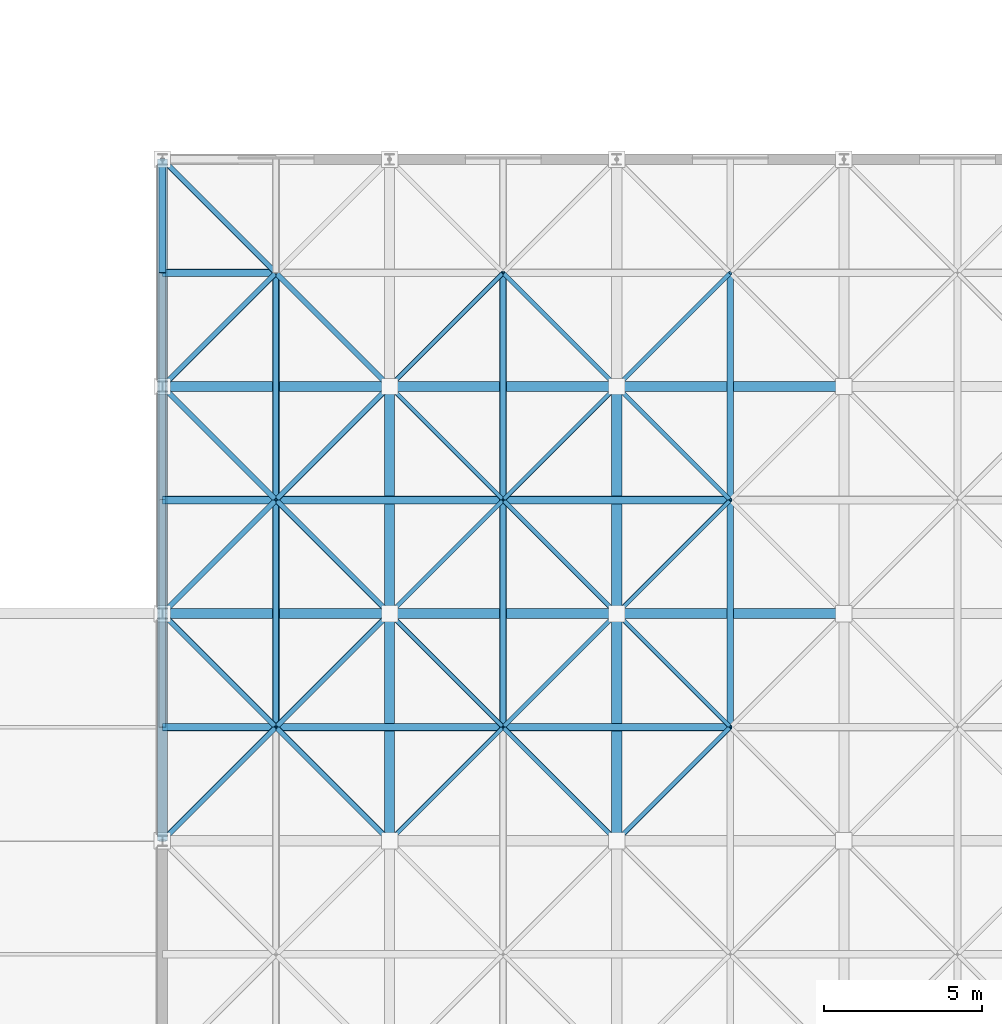
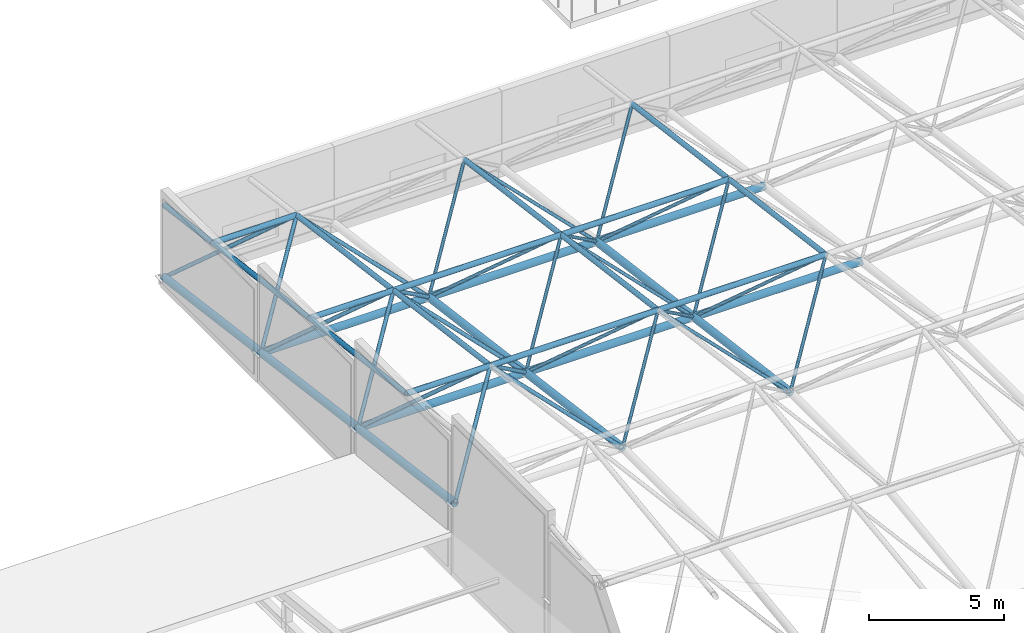
# One storey, part 38 of 103: 55 members.
"""IFC4 building model written with IfcOpenShell, lengths in metres."""

from ifc_helpers import new_model, si_unit, direction, frame, origin, origin_2d, place, context, subcontext, project, spatial, hollow_circle, extrude, material, material_profile, profile_set, type_object, element, save


model = new_model("IFC4")

# Units and contexts
model_context = context("Model", 3, precision=1e-05, world=origin(), true_north=direction((0.0, 1.0)))
body_context = subcontext(model_context, "Body", "Model", "MODEL_VIEW")
ifc_project = project(units=[si_unit("LENGTHUNIT", "METRE"), si_unit("AREAUNIT", "SQUARE_METRE"), si_unit("VOLUMEUNIT", "CUBIC_METRE"), si_unit("PLANEANGLEUNIT", "RADIAN"), si_unit("MASSUNIT", "GRAM", prefix="KILO")], contexts=[model_context])

# Site, building, storey
site_placement = place(None, origin())
site = spatial("IfcSite", under=ifc_project, at=site_placement, CompositionType="ELEMENT")
building_placement = place(site_placement, origin())
building = spatial("IfcBuilding", under=site, at=building_placement, Name="Thalmaran Polytechnic", CompositionType="ELEMENT")
storey_placement = place(building_placement, frame((0.0, 0.0, 14.39990234375)))
storey = spatial("IfcBuildingStorey", under=building, at=storey_placement, Name="L03", CompositionType="ELEMENT", Elevation=14.39990234375)

# Members
ifc_material = material(Name="Steel S355", Category="steel")
ifc_material_profile_1 = material_profile(ifc_material, hollow_circle(Radius=0.161865234375, WallThickness=0.012451171875, at=origin_2d()), Name="CHS 323.9x12.5")
ifc_profile_set_1 = profile_set([ifc_material_profile_1], Name="Steel S355")
member_type_1 = type_object("IfcMemberType", Name="MB-SFC0", PredefinedType="CHORD", material=ifc_profile_set_1)
for number, where, z_axis, x_axis, name in (
    (1, (108.0, 28.800048828125, 3.223876953125), (0.0, 0.991442963585, -0.130540606544), (-1.0, 0.0, 0.0), "Space-Frame Bottom Chord Y (0,5)"),
    (2, (108.0, 36.0, 2.27587890625), (0.0, 0.991442963585, -0.130540606544), (-1.0, 0.0, 0.0), "Space-Frame Bottom Chord Y (0,6)"),
):
    element("IfcMember", number, at=place(storey_placement, frame(where, z_axis=z_axis, x_axis=x_axis)), inside=storey, type_object=member_type_1, Name=name, PredefinedType="CHORD", context=body_context, shape_type="SweptSolid", body=[
        extrude(hollow_circle(Radius=0.161865234375, WallThickness=0.012451171875, at=origin_2d()), origin(), (0.0, 0.0, 1.0), 7.26220703125),
    ])
member_1_placement = place(storey_placement, frame((108.0, 43.199951171875, 1.327880859375), z_axis=(0.0, 0.991447314079, -0.130507560722), x_axis=(-1.0, 0.0, 0.0)))
element("IfcMember", 3, at=member_1_placement, inside=storey, type_object=member_type_1, Name="Space-Frame Bottom Chord Y (0,7)", PredefinedType="CHORD", context=body_context, shape_type="SweptSolid", body=[
    extrude(hollow_circle(Radius=0.161865234375, WallThickness=0.012451171875, at=origin_2d()), origin(), (0.0, 0.0, 1.0), 7.261962890625),
])
ifc_material_profile_2 = material_profile(ifc_material, hollow_circle(Radius=0.122314453125, WallThickness=0.010009765625, at=origin_2d()), Name="CHS 244.5x10.0")
ifc_profile_set_2 = profile_set([ifc_material_profile_2], Name="Steel S355")
member_type_2 = type_object("IfcMemberType", Name="MB-SFC1", PredefinedType="CHORD", material=ifc_profile_set_2)
for number, where, z_axis, x_axis, name in (
    (4, (108.0, 32.39990234375, 6.019775390625), (1.0, 0.0, 0.0), (0.0, 1.0, 0.0), "Space-Frame Top Chord X (0,6)"),
    (5, (108.0, 39.60009765625, 5.072021484375), (1.0, 0.0, 0.0), (0.0, 1.0, 0.0), "Space-Frame Top Chord X (0,7)"),
    (6, (108.0, 46.800048828125, 4.1240234375), (1.0, 0.0, 0.0), (0.0, 1.0, 0.0), "Space-Frame Top Chord X (0,8)"),
):
    element("IfcMember", number, at=place(storey_placement, frame(where, z_axis=z_axis, x_axis=x_axis)), inside=storey, type_object=member_type_2, Name=name, PredefinedType="CHORD", context=body_context, shape_type="SweptSolid", body=[
        extrude(hollow_circle(Radius=0.122314453125, WallThickness=0.010009765625, at=origin_2d()), origin(), (0.0, 0.0, 1.0), 3.60009765625),
    ])
for number, where, z_axis, x_axis, name in (
    (7, (111.60009765625, 32.39990234375, 6.019775390625), (1.0, 0.0, 0.0), (0.0, 1.0, 0.0), "Space-Frame Top Chord X (1,6)"),
    (8, (111.60009765625, 39.60009765625, 5.072021484375), (1.0, 0.0, 0.0), (0.0, 1.0, 0.0), "Space-Frame Top Chord X (1,7)"),
    (9, (118.800048828125, 32.39990234375, 6.019775390625), (1.0, 0.0, 0.0), (0.0, 1.0, 0.0), "Space-Frame Top Chord X (2,6)"),
    (10, (118.800048828125, 39.60009765625, 5.072021484375), (1.0, 0.0, 0.0), (0.0, 1.0, 0.0), "Space-Frame Top Chord X (2,7)"),
):
    element("IfcMember", number, at=place(storey_placement, frame(where, z_axis=z_axis, x_axis=x_axis)), inside=storey, type_object=member_type_2, Name=name, PredefinedType="CHORD", context=body_context, shape_type="SweptSolid", body=[
        extrude(hollow_circle(Radius=0.122314453125, WallThickness=0.010009765625, at=origin_2d()), origin(), (0.0, 0.0, 1.0), 7.199951171875),
    ])
ifc_material_profile_3 = material_profile(ifc_material, hollow_circle(Radius=0.109619140625, WallThickness=0.010009765625, at=origin_2d()), Name="CHS 219.1x10.0")
ifc_profile_set_3 = profile_set([ifc_material_profile_3], Name="Steel S355")
member_type_3 = type_object("IfcMemberType", Name="MB-SFC2", PredefinedType="CHORD", material=ifc_profile_set_3)
for number, where, z_axis, x_axis, name in (
    (11, (108.0, 32.39990234375, 6.019775390625), (0.0, 0.991447886651, -0.130503210904), (-1.0, 0.0, 0.0), "Space-Frame Top Chord Y (0,6)"),
    (12, (108.0, 39.60009765625, 5.072021484375), (0.0, 0.991442963585, -0.130540606544), (-1.0, 0.0, 0.0), "Space-Frame Top Chord Y (0,7)"),
):
    element("IfcMember", number, at=place(storey_placement, frame(where, z_axis=z_axis, x_axis=x_axis)), inside=storey, type_object=member_type_3, Name=name, PredefinedType="CHORD", context=body_context, shape_type="SweptSolid", body=[
        extrude(hollow_circle(Radius=0.109619140625, WallThickness=0.010009765625, at=origin_2d()), origin(), (0.0, 0.0, 1.0), 7.26220703125),
    ])
member_2_placement = place(storey_placement, frame((108.0, 46.800048828125, 4.1240234375), z_axis=(0.0, 0.99144674145, -0.130511910828), x_axis=(-1.0, 0.0, 0.0)))
element("IfcMember", 13, at=member_2_placement, inside=storey, type_object=member_type_3, Name="Space-Frame Top Chord Y (0,8)", PredefinedType="CHORD", context=body_context, shape_type="SweptSolid", body=[
    extrude(hollow_circle(Radius=0.109619140625, WallThickness=0.010009765625, at=origin_2d()), origin(), (0.0, 0.0, 1.0), 3.630859375),
])
for number, where, z_axis, x_axis, name in (
    (14, (111.60009765625, 32.39990234375, 6.019775390625), (0.0, 0.991447886651, -0.130503210904), (-1.0, 0.0, 0.0), "Space-Frame Top Chord Y (1,6)"),
    (15, (111.60009765625, 39.60009765625, 5.072021484375), (0.0, 0.991442963585, -0.130540606544), (-1.0, 0.0, 0.0), "Space-Frame Top Chord Y (1,7)"),
    (16, (118.800048828125, 32.39990234375, 6.019775390625), (0.0, 0.991447886651, -0.130503210904), (-1.0, 0.0, 0.0), "Space-Frame Top Chord Y (2,6)"),
    (17, (118.800048828125, 39.60009765625, 5.072021484375), (0.0, 0.991442963585, -0.130540606544), (-1.0, 0.0, 0.0), "Space-Frame Top Chord Y (2,7)"),
    (18, (126.0, 32.39990234375, 6.019775390625), (0.0, 0.991447886651, -0.130503210904), (-1.0, 0.0, 0.0), "Space-Frame Top Chord Y (3,6)"),
    (19, (126.0, 39.60009765625, 5.072021484375), (0.0, 0.991442963585, -0.130540606544), (-1.0, 0.0, 0.0), "Space-Frame Top Chord Y (3,7)"),
):
    element("IfcMember", number, at=place(storey_placement, frame(where, z_axis=z_axis, x_axis=x_axis)), inside=storey, type_object=member_type_3, Name=name, PredefinedType="CHORD", context=body_context, shape_type="SweptSolid", body=[
        extrude(hollow_circle(Radius=0.109619140625, WallThickness=0.010009765625, at=origin_2d()), origin(), (0.0, 0.0, 1.0), 7.26220703125),
    ])
ifc_material_profile_4 = material_profile(ifc_material, hollow_circle(Radius=0.161865234375, WallThickness=0.012451171875, at=origin_2d()), Name="CHS 323.9x12.5")
ifc_profile_set_4 = profile_set([ifc_material_profile_4], Name="Steel S355")
member_type_4 = type_object("IfcMemberType", Name="MB-SFC4", PredefinedType="CHORD", material=ifc_profile_set_4)
for number, where, z_axis, x_axis, name in (
    (20, (108.0, 36.0, 2.27587890625), (1.0, 0.0, 0.0), (0.0, 1.0, 0.0), "Space-Frame Bottom Chord X (0,6)"),
    (21, (108.0, 43.199951171875, 1.327880859375), (1.0, 0.0, 0.0), (0.0, 1.0, 0.0), "Space-Frame Bottom Chord X (0,7)"),
):
    element("IfcMember", number, at=place(storey_placement, frame(where, z_axis=z_axis, x_axis=x_axis)), inside=storey, type_object=member_type_4, Name=name, PredefinedType="CHORD", context=body_context, shape_type="SweptSolid", body=[
        extrude(hollow_circle(Radius=0.161865234375, WallThickness=0.012451171875, at=origin_2d()), origin(), (0.0, 0.0, 1.0), 7.199951171875),
    ])
member_3_placement = place(storey_placement, frame((115.199951171875, 28.800048828125, 3.223876953125), z_axis=(0.0, 0.991442963585, -0.130540606544), x_axis=(-1.0, 0.0, 0.0)))
element("IfcMember", 22, at=member_3_placement, inside=storey, type_object=member_type_4, Name="Space-Frame Bottom Chord Y (1,5)", PredefinedType="CHORD", context=body_context, shape_type="SweptSolid", body=[
    extrude(hollow_circle(Radius=0.161865234375, WallThickness=0.012451171875, at=origin_2d()), origin(), (0.0, 0.0, 1.0), 7.26220703125),
])
member_4_placement = place(storey_placement, frame((115.199951171875, 36.0, 2.27587890625), z_axis=(1.0, 0.0, 0.0), x_axis=(0.0, 1.0, 0.0)))
element("IfcMember", 23, at=member_4_placement, inside=storey, type_object=member_type_4, Name="Space-Frame Bottom Chord X (1,6)", PredefinedType="CHORD", context=body_context, shape_type="SweptSolid", body=[
    extrude(hollow_circle(Radius=0.161865234375, WallThickness=0.012451171875, at=origin_2d()), origin(), (0.0, 0.0, 1.0), 7.199951171875),
])
member_5_placement = place(storey_placement, frame((115.199951171875, 36.0, 2.27587890625), z_axis=(0.0, 0.991442963585, -0.130540606544), x_axis=(-1.0, 0.0, 0.0)))
element("IfcMember", 24, at=member_5_placement, inside=storey, type_object=member_type_4, Name="Space-Frame Bottom Chord Y (1,6)", PredefinedType="CHORD", context=body_context, shape_type="SweptSolid", body=[
    extrude(hollow_circle(Radius=0.161865234375, WallThickness=0.012451171875, at=origin_2d()), origin(), (0.0, 0.0, 1.0), 7.26220703125),
])
member_6_placement = place(storey_placement, frame((115.199951171875, 43.199951171875, 1.327880859375), z_axis=(1.0, 0.0, 0.0), x_axis=(0.0, 1.0, 0.0)))
element("IfcMember", 25, at=member_6_placement, inside=storey, type_object=member_type_4, Name="Space-Frame Bottom Chord X (1,7)", PredefinedType="CHORD", context=body_context, shape_type="SweptSolid", body=[
    extrude(hollow_circle(Radius=0.161865234375, WallThickness=0.012451171875, at=origin_2d()), origin(), (0.0, 0.0, 1.0), 7.199951171875),
])
member_7_placement = place(storey_placement, frame((122.39990234375, 28.800048828125, 3.223876953125), z_axis=(0.0, 0.991442963585, -0.130540606544), x_axis=(-1.0, 0.0, 0.0)))
element("IfcMember", 26, at=member_7_placement, inside=storey, type_object=member_type_4, Name="Space-Frame Bottom Chord Y (2,5)", PredefinedType="CHORD", context=body_context, shape_type="SweptSolid", body=[
    extrude(hollow_circle(Radius=0.161865234375, WallThickness=0.012451171875, at=origin_2d()), origin(), (0.0, 0.0, 1.0), 7.26220703125),
])
member_8_placement = place(storey_placement, frame((122.39990234375, 36.0, 2.27587890625), z_axis=(1.0, 0.0, 0.0), x_axis=(0.0, 1.0, 0.0)))
element("IfcMember", 27, at=member_8_placement, inside=storey, type_object=member_type_4, Name="Space-Frame Bottom Chord X (2,6)", PredefinedType="CHORD", context=body_context, shape_type="SweptSolid", body=[
    extrude(hollow_circle(Radius=0.161865234375, WallThickness=0.012451171875, at=origin_2d()), origin(), (0.0, 0.0, 1.0), 7.2001953125),
])
member_9_placement = place(storey_placement, frame((122.39990234375, 36.0, 2.27587890625), z_axis=(0.0, 0.991442963585, -0.130540606544), x_axis=(-1.0, 0.0, 0.0)))
element("IfcMember", 28, at=member_9_placement, inside=storey, type_object=member_type_4, Name="Space-Frame Bottom Chord Y (2,6)", PredefinedType="CHORD", context=body_context, shape_type="SweptSolid", body=[
    extrude(hollow_circle(Radius=0.161865234375, WallThickness=0.012451171875, at=origin_2d()), origin(), (0.0, 0.0, 1.0), 7.26220703125),
])
member_10_placement = place(storey_placement, frame((122.39990234375, 43.199951171875, 1.327880859375), z_axis=(1.0, 0.0, 0.0), x_axis=(0.0, 1.0, 0.0)))
element("IfcMember", 29, at=member_10_placement, inside=storey, type_object=member_type_4, Name="Space-Frame Bottom Chord X (2,7)", PredefinedType="CHORD", context=body_context, shape_type="SweptSolid", body=[
    extrude(hollow_circle(Radius=0.161865234375, WallThickness=0.012451171875, at=origin_2d()), origin(), (0.0, 0.0, 1.0), 7.2001953125),
])
ifc_material_profile_5 = material_profile(ifc_material, hollow_circle(Radius=0.084228515625, WallThickness=0.008056640625, at=origin_2d()), Name="CHS 168.3x8.0")
ifc_profile_set_5 = profile_set([ifc_material_profile_5], Name="Steel S355")
member_type_5 = type_object("IfcMemberType", Name="MB-SFD1", PredefinedType="BRACE", material=ifc_profile_set_5)
member_11_placement = place(storey_placement, frame((108.0, 28.800048828125, 3.223876953125), z_axis=(0.619816315787, 0.619774282943, 0.481360128061), x_axis=(-0.707082803744, 0.707130757816, 0.0)))
element("IfcMember", 30, at=member_11_placement, inside=storey, type_object=member_type_5, Name="Space-Frame Web Diagonal (0,5)-1", PredefinedType="BRACE", context=body_context, shape_type="SweptSolid", body=[
    extrude(hollow_circle(Radius=0.084228515625, WallThickness=0.008056640625, at=origin_2d()), origin(), (0.0, 0.0, 1.0), 5.808349609375),
])
member_12_placement = place(storey_placement, frame((115.199951171875, 28.800048828125, 3.223876953125), z_axis=(-0.619790429784, 0.619790429784, 0.481372668829), x_axis=(-0.707106781187, -0.707106781187, 0.0)))
element("IfcMember", 31, at=member_12_placement, inside=storey, type_object=member_type_5, Name="Space-Frame Web Diagonal (0,5)-2", PredefinedType="BRACE", context=body_context, shape_type="SweptSolid", body=[
    extrude(hollow_circle(Radius=0.084228515625, WallThickness=0.008056640625, at=origin_2d()), origin(), (0.0, 0.0, 1.0), 5.80810546875),
])
for number, where, z_axis, x_axis, name in (
    (32, (108.0, 36.0, 2.27587890625), (0.569665890713, -0.569665890713, 0.592420075552), (0.707106781187, 0.707106781187, 0.0), "Space-Frame Web Diagonal (0,5)-3"),
    (33, (115.199951171875, 36.0, 2.27587890625), (-0.569639794751, -0.569678427494, 0.592433113089), (0.707130757816, -0.707082803744, 0.0), "Space-Frame Web Diagonal (0,5)-4"),
):
    element("IfcMember", number, at=place(storey_placement, frame(where, z_axis=z_axis, x_axis=x_axis)), inside=storey, type_object=member_type_5, Name=name, PredefinedType="BRACE", context=body_context, shape_type="SweptSolid", body=[
        extrude(hollow_circle(Radius=0.084228515625, WallThickness=0.008056640625, at=origin_2d()), origin(), (0.0, 0.0, 1.0), 6.319580078125),
    ])
member_13_placement = place(storey_placement, frame((108.0, 36.0, 2.27587890625), z_axis=(0.619787629222, 0.619787629222, 0.481379880475), x_axis=(-0.707106781187, 0.707106781187, 0.0)))
element("IfcMember", 34, at=member_13_placement, inside=storey, type_object=member_type_5, Name="Space-Frame Web Diagonal (0,6)-1", PredefinedType="BRACE", context=body_context, shape_type="SweptSolid", body=[
    extrude(hollow_circle(Radius=0.084228515625, WallThickness=0.008056640625, at=origin_2d()), origin(), (0.0, 0.0, 1.0), 5.80859375),
])
member_14_placement = place(storey_placement, frame((115.199951171875, 36.0, 2.27587890625), z_axis=(-0.619761742923, 0.619803774917, 0.481392420597), x_axis=(-0.707130757816, -0.707082803744, 0.0)))
element("IfcMember", 35, at=member_14_placement, inside=storey, type_object=member_type_5, Name="Space-Frame Web Diagonal (0,6)-2", PredefinedType="BRACE", context=body_context, shape_type="SweptSolid", body=[
    extrude(hollow_circle(Radius=0.084228515625, WallThickness=0.008056640625, at=origin_2d()), origin(), (0.0, 0.0, 1.0), 5.808349609375),
])
for number, where, z_axis, x_axis, name in (
    (36, (108.0, 43.199951171875, 1.327880859375), (0.569665389106, -0.569626757247, 0.592458185768), (0.707082803744, 0.707130757816, 0.0), "Space-Frame Web Diagonal (0,6)-3"),
    (37, (115.199951171875, 43.199951171875, 1.327880859375), (-0.569639293145, -0.569639293145, 0.592471224121), (0.707106781187, -0.707106781187, 0.0), "Space-Frame Web Diagonal (0,6)-4"),
):
    element("IfcMember", number, at=place(storey_placement, frame(where, z_axis=z_axis, x_axis=x_axis)), inside=storey, type_object=member_type_5, Name=name, PredefinedType="BRACE", context=body_context, shape_type="SweptSolid", body=[
        extrude(hollow_circle(Radius=0.084228515625, WallThickness=0.008056640625, at=origin_2d()), origin(), (0.0, 0.0, 1.0), 6.319580078125),
    ])
member_15_placement = place(storey_placement, frame((108.0, 43.199951171875, 1.327880859375), z_axis=(0.619787629222, 0.619787629222, 0.481379880475), x_axis=(-0.707106781187, 0.707106781187, 0.0)))
element("IfcMember", 38, at=member_15_placement, inside=storey, type_object=member_type_5, Name="Space-Frame Web Diagonal (0,7)-1", PredefinedType="BRACE", context=body_context, shape_type="SweptSolid", body=[
    extrude(hollow_circle(Radius=0.084228515625, WallThickness=0.008056640625, at=origin_2d()), origin(), (0.0, 0.0, 1.0), 5.80859375),
])
member_16_placement = place(storey_placement, frame((115.199951171875, 43.199951171875, 1.327880859375), z_axis=(-0.619761742923, 0.619803774917, 0.481392420597), x_axis=(-0.707130757816, -0.707082803744, 0.0)))
element("IfcMember", 39, at=member_16_placement, inside=storey, type_object=member_type_5, Name="Space-Frame Web Diagonal (0,7)-2", PredefinedType="BRACE", context=body_context, shape_type="SweptSolid", body=[
    extrude(hollow_circle(Radius=0.084228515625, WallThickness=0.008056640625, at=origin_2d()), origin(), (0.0, 0.0, 1.0), 5.808349609375),
])
member_17_placement = place(storey_placement, frame((108.0, 50.39990234375, 0.380126953125), z_axis=(0.569678427494, -0.569639794751, 0.592433113089), x_axis=(0.707082803744, 0.707130757816, 0.0)))
element("IfcMember", 40, at=member_17_placement, inside=storey, type_object=member_type_5, Name="Space-Frame Web Diagonal (0,7)-3", PredefinedType="BRACE", context=body_context, shape_type="SweptSolid", body=[
    extrude(hollow_circle(Radius=0.084228515625, WallThickness=0.008056640625, at=origin_2d()), origin(), (0.0, 0.0, 1.0), 6.319580078125),
])
ifc_material_profile_6 = material_profile(ifc_material, hollow_circle(Radius=0.06982421875, WallThickness=0.008056640625, at=origin_2d()), Name="CHS 139.7x8.0")
ifc_profile_set_6 = profile_set([ifc_material_profile_6], Name="Steel S355")
member_type_6 = type_object("IfcMemberType", Name="MB-SFD2", PredefinedType="BRACE", material=ifc_profile_set_6)
member_18_placement = place(storey_placement, frame((115.199951171875, 28.800048828125, 3.223876953125), z_axis=(0.619816315787, 0.619774282943, 0.481360128061), x_axis=(-0.707082803744, 0.707130757816, 0.0)))
element("IfcMember", 41, at=member_18_placement, inside=storey, type_object=member_type_6, Name="Space-Frame Web Diagonal (1,5)-1", PredefinedType="BRACE", context=body_context, shape_type="SweptSolid", body=[
    extrude(hollow_circle(Radius=0.06982421875, WallThickness=0.008056640625, at=origin_2d()), origin(), (0.0, 0.0, 1.0), 5.808349609375),
])
member_19_placement = place(storey_placement, frame((122.39990234375, 28.800048828125, 3.223876953125), z_axis=(-0.619790429784, 0.619790429784, 0.481372668829), x_axis=(-0.707106781187, -0.707106781187, 0.0)))
element("IfcMember", 42, at=member_19_placement, inside=storey, type_object=member_type_6, Name="Space-Frame Web Diagonal (1,5)-2", PredefinedType="BRACE", context=body_context, shape_type="SweptSolid", body=[
    extrude(hollow_circle(Radius=0.06982421875, WallThickness=0.008056640625, at=origin_2d()), origin(), (0.0, 0.0, 1.0), 5.80810546875),
])
for number, where, z_axis, x_axis, name in (
    (43, (115.199951171875, 36.0, 2.27587890625), (0.569665890713, -0.569665890713, 0.592420075552), (0.707106781187, 0.707106781187, 0.0), "Space-Frame Web Diagonal (1,5)-3"),
    (44, (122.39990234375, 36.0, 2.27587890625), (-0.569639794751, -0.569678427494, 0.592433113089), (0.707130757816, -0.707082803744, 0.0), "Space-Frame Web Diagonal (1,5)-4"),
):
    element("IfcMember", number, at=place(storey_placement, frame(where, z_axis=z_axis, x_axis=x_axis)), inside=storey, type_object=member_type_6, Name=name, PredefinedType="BRACE", context=body_context, shape_type="SweptSolid", body=[
        extrude(hollow_circle(Radius=0.06982421875, WallThickness=0.008056640625, at=origin_2d()), origin(), (0.0, 0.0, 1.0), 6.319580078125),
    ])
member_20_placement = place(storey_placement, frame((115.199951171875, 36.0, 2.27587890625), z_axis=(0.619787629222, 0.619787629222, 0.481379880475), x_axis=(-0.707106781187, 0.707106781187, 0.0)))
element("IfcMember", 45, at=member_20_placement, inside=storey, type_object=member_type_6, Name="Space-Frame Web Diagonal (1,6)-1", PredefinedType="BRACE", context=body_context, shape_type="SweptSolid", body=[
    extrude(hollow_circle(Radius=0.06982421875, WallThickness=0.008056640625, at=origin_2d()), origin(), (0.0, 0.0, 1.0), 5.80859375),
])
member_21_placement = place(storey_placement, frame((122.39990234375, 36.0, 2.27587890625), z_axis=(-0.619761742923, 0.619803774917, 0.481392420597), x_axis=(-0.707130757816, -0.707082803744, 0.0)))
element("IfcMember", 46, at=member_21_placement, inside=storey, type_object=member_type_6, Name="Space-Frame Web Diagonal (1,6)-2", PredefinedType="BRACE", context=body_context, shape_type="SweptSolid", body=[
    extrude(hollow_circle(Radius=0.06982421875, WallThickness=0.008056640625, at=origin_2d()), origin(), (0.0, 0.0, 1.0), 5.808349609375),
])
for number, where, z_axis, x_axis, name in (
    (47, (115.199951171875, 43.199951171875, 1.327880859375), (0.569665389106, -0.569626757247, 0.592458185768), (0.707082803744, 0.707130757816, 0.0), "Space-Frame Web Diagonal (1,6)-3"),
    (48, (122.39990234375, 43.199951171875, 1.327880859375), (-0.569639293145, -0.569639293145, 0.592471224121), (0.707106781187, -0.707106781187, 0.0), "Space-Frame Web Diagonal (1,6)-4"),
):
    element("IfcMember", number, at=place(storey_placement, frame(where, z_axis=z_axis, x_axis=x_axis)), inside=storey, type_object=member_type_6, Name=name, PredefinedType="BRACE", context=body_context, shape_type="SweptSolid", body=[
        extrude(hollow_circle(Radius=0.06982421875, WallThickness=0.008056640625, at=origin_2d()), origin(), (0.0, 0.0, 1.0), 6.319580078125),
    ])
member_22_placement = place(storey_placement, frame((115.199951171875, 43.199951171875, 1.327880859375), z_axis=(0.619787629222, 0.619787629222, 0.481379880475), x_axis=(-0.707106781187, 0.707106781187, 0.0)))
element("IfcMember", 49, at=member_22_placement, inside=storey, type_object=member_type_6, Name="Space-Frame Web Diagonal (1,7)-1", PredefinedType="BRACE", context=body_context, shape_type="SweptSolid", body=[
    extrude(hollow_circle(Radius=0.06982421875, WallThickness=0.008056640625, at=origin_2d()), origin(), (0.0, 0.0, 1.0), 5.80859375),
])
for number, where, z_axis, x_axis, name in (
    (50, (122.39990234375, 43.199951171875, 1.327880859375), (-0.619761742923, 0.619803774917, 0.481392420597), (-0.707130757816, -0.707082803744, 0.0), "Space-Frame Web Diagonal (1,7)-2"),
    (51, (122.39990234375, 28.800048828125, 3.223876953125), (0.619816315787, 0.619774282943, 0.481360128061), (-0.707082803744, 0.707130757816, 0.0), "Space-Frame Web Diagonal (2,5)-1"),
):
    element("IfcMember", number, at=place(storey_placement, frame(where, z_axis=z_axis, x_axis=x_axis)), inside=storey, type_object=member_type_6, Name=name, PredefinedType="BRACE", context=body_context, shape_type="SweptSolid", body=[
        extrude(hollow_circle(Radius=0.06982421875, WallThickness=0.008056640625, at=origin_2d()), origin(), (0.0, 0.0, 1.0), 5.808349609375),
    ])
member_23_placement = place(storey_placement, frame((122.39990234375, 36.0, 2.27587890625), z_axis=(0.569665890713, -0.569665890713, 0.592420075552), x_axis=(0.707106781187, 0.707106781187, 0.0)))
element("IfcMember", 52, at=member_23_placement, inside=storey, type_object=member_type_6, Name="Space-Frame Web Diagonal (2,5)-3", PredefinedType="BRACE", context=body_context, shape_type="SweptSolid", body=[
    extrude(hollow_circle(Radius=0.06982421875, WallThickness=0.008056640625, at=origin_2d()), origin(), (0.0, 0.0, 1.0), 6.319580078125),
])
member_24_placement = place(storey_placement, frame((122.39990234375, 36.0, 2.27587890625), z_axis=(0.619787629222, 0.619787629222, 0.481379880475), x_axis=(-0.707106781187, 0.707106781187, 0.0)))
element("IfcMember", 53, at=member_24_placement, inside=storey, type_object=member_type_6, Name="Space-Frame Web Diagonal (2,6)-1", PredefinedType="BRACE", context=body_context, shape_type="SweptSolid", body=[
    extrude(hollow_circle(Radius=0.06982421875, WallThickness=0.008056640625, at=origin_2d()), origin(), (0.0, 0.0, 1.0), 5.80859375),
])
member_25_placement = place(storey_placement, frame((122.39990234375, 43.199951171875, 1.327880859375), z_axis=(0.569665389106, -0.569626757247, 0.592458185768), x_axis=(0.707082803744, 0.707130757816, 0.0)))
element("IfcMember", 54, at=member_25_placement, inside=storey, type_object=member_type_6, Name="Space-Frame Web Diagonal (2,6)-3", PredefinedType="BRACE", context=body_context, shape_type="SweptSolid", body=[
    extrude(hollow_circle(Radius=0.06982421875, WallThickness=0.008056640625, at=origin_2d()), origin(), (0.0, 0.0, 1.0), 6.319580078125),
])
member_26_placement = place(storey_placement, frame((122.39990234375, 43.199951171875, 1.327880859375), z_axis=(0.619787629222, 0.619787629222, 0.481379880475), x_axis=(-0.707106781187, 0.707106781187, 0.0)))
element("IfcMember", 55, at=member_26_placement, inside=storey, type_object=member_type_6, Name="Space-Frame Web Diagonal (2,7)-1", PredefinedType="BRACE", context=body_context, shape_type="SweptSolid", body=[
    extrude(hollow_circle(Radius=0.06982421875, WallThickness=0.008056640625, at=origin_2d()), origin(), (0.0, 0.0, 1.0), 5.80859375),
])

save(model, "model.ifc")
